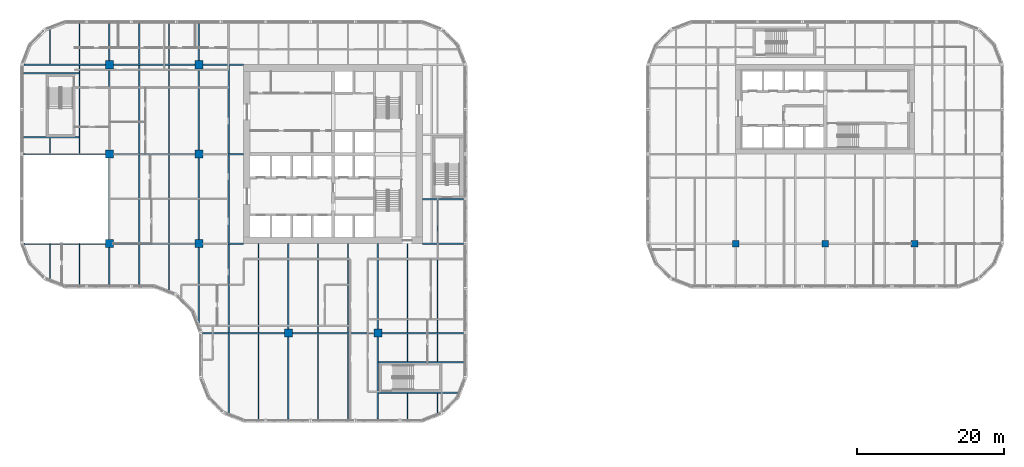
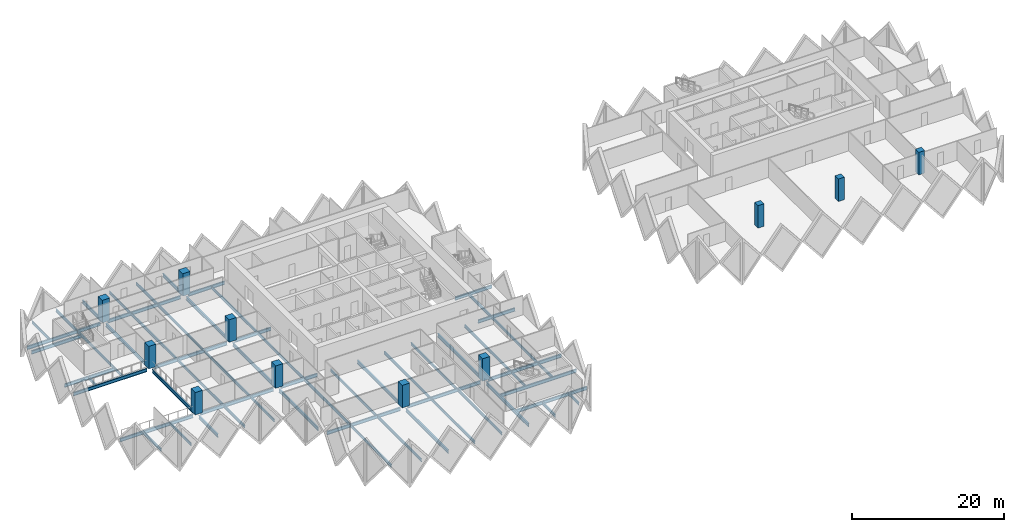
# One storey, part 1 of 18: 61 beams, 11 columns.
"""IFC4 building model written with IfcOpenShell, lengths in metres."""

import ifcopenshell
import ifcopenshell.guid

model = None  # the IFC model being written
_history = None  # IfcOwnerHistory: only IFC2X3 demands one
_inside = {}  # id of a spatial element -> (the spatial element, [elements in it])
_under = {}  # id of a project, library or spatial element -> (it, [spatial elements below it])
_declared = {}  # id of a project -> (the project, [libraries it declares])
_typed = {}  # id of a type object -> (the type object, [elements of that type])
_made_of = {}  # id of a material, layer set ... -> (it, [elements and type objects made of it])


def new_model(schema):
    """Start an empty IFC model of exactly this schema.

    Asked for "IFC4X3", IfcOpenShell would pick the latest addendum, in which some entities
    have other attributes; the version numbers below select the first issue.
    IFC2X3 requires an IfcOwnerHistory on every rooted entity: one is made here for all.
    """
    global model, _history
    if schema == "IFC4X3":
        model = ifcopenshell.file(schema_version=(4, 3, 0, 0))
    else:
        model = ifcopenshell.file(schema=schema)
    _inside.clear()
    _under.clear()
    _declared.clear()
    _typed.clear()
    _made_of.clear()
    _history = None
    if model.schema == "IFC2X3":
        org = make("IfcOrganization", Name="unknown")
        user = make(
            "IfcPersonAndOrganization",
            ThePerson=make("IfcPerson", FamilyName="unknown"),
            TheOrganization=org,
        )
        app = make(
            "IfcApplication",
            ApplicationDeveloper=org,
            Version="unknown",
            ApplicationFullName="unknown",
            ApplicationIdentifier="unknown",
        )
        _history = make(
            "IfcOwnerHistory",
            OwningUser=user,
            OwningApplication=app,
            ChangeAction="ADDED",
            CreationDate=0,
        )
    return model


def make(cls, **values):
    """One entity of the class cls with the attributes given. An attribute that is None is left unset."""
    return model.create_entity(
        cls, **{name: value for name, value in values.items() if value is not None}
    )


def rooted(cls, **values):
    """An entity with a GlobalId (a new one), such as an element, a storey or a relation."""
    return make(cls, GlobalId=ifcopenshell.guid.new(), OwnerHistory=_history, **values)


def si_unit(unit_type, name, prefix=None):
    """IfcSIUnit, for example si_unit("LENGTHUNIT", "METRE", prefix="MILLI")."""
    return make("IfcSIUnit", UnitType=unit_type, Prefix=prefix, Name=name)


def assignment(units):
    """IfcUnitAssignment: the units of a project."""
    return None if units is None else make("IfcUnitAssignment", Units=units)


def point(xyz):
    """IfcCartesianPoint."""
    return None if xyz is None else make("IfcCartesianPoint", Coordinates=xyz)


def direction(xyz):
    """IfcDirection."""
    return None if xyz is None else make("IfcDirection", DirectionRatios=xyz)


def frame(location, z_axis=None, x_axis=None):
    """IfcAxis2Placement3D, a coordinate frame: its origin and axes. An axis left out is left unset."""
    return make(
        "IfcAxis2Placement3D",
        Location=point(location),
        Axis=direction(z_axis),
        RefDirection=direction(x_axis),
    )


def frame_2d(location, x_axis=None):
    """IfcAxis2Placement2D, a coordinate frame in the plane: its origin and x axis."""
    return make(
        "IfcAxis2Placement2D", Location=point(location), RefDirection=direction(x_axis)
    )


def origin():
    """The frame at (0, 0, 0) with its axes left unset."""
    return frame((0.0, 0.0, 0.0))


def origin_2d():
    """The frame at (0, 0) in the plane with its x axis left unset."""
    return frame_2d((0.0, 0.0))


def place(relative_to, where):
    """IfcLocalPlacement: puts the frame where relative to a parent placement (None: the world)."""
    return make(
        "IfcLocalPlacement", PlacementRelTo=relative_to, RelativePlacement=where
    )


def context(
    kind, dimensions, precision=None, world=None, true_north=None, identifier=None
):
    """IfcGeometricRepresentationContext, for example the 3D "Model" context."""
    return make(
        "IfcGeometricRepresentationContext",
        ContextIdentifier=identifier,
        ContextType=kind,
        CoordinateSpaceDimension=dimensions,
        Precision=precision,
        WorldCoordinateSystem=world,
        TrueNorth=true_north,
    )


def subcontext(parent, identifier, kind, view, scale=None):
    """IfcGeometricRepresentationSubContext, for example "Body" below "Model"."""
    return make(
        "IfcGeometricRepresentationSubContext",
        ContextIdentifier=identifier,
        ContextType=kind,
        ParentContext=parent,
        TargetScale=scale,
        TargetView=view,
    )


def project(units=None, contexts=None):
    """IfcProject with its units and contexts."""
    return rooted(
        "IfcProject",
        Name="project",
        RepresentationContexts=contexts,
        UnitsInContext=assignment(units),
    )


def spatial(cls, under=None, at=None, **own):
    """A site, building, storey or space (cls), placed at a placement, below another one or the project."""
    s = rooted(cls, ObjectPlacement=at, **own)
    if under is not None:
        _under.setdefault(under.id(), (under, []))[1].append(s)
    return s


def profile(cls, at=None, kind="AREA", **sizes):
    """A parametric profile (cls). Its sizes go by their IFC names, for example OverallWidth=200.0."""
    return make(cls, ProfileType=kind, Position=at, **sizes)


def rectangle(**sizes):
    """IfcRectangleProfileDef."""
    return profile("IfcRectangleProfileDef", **sizes)


def i_section(**sizes):
    """IfcIShapeProfileDef."""
    return profile("IfcIShapeProfileDef", **sizes)


def extrude(swept, where, along, depth):
    """IfcExtrudedAreaSolid: the profile swept, set in the frame where, extruded along a direction by depth."""
    return make(
        "IfcExtrudedAreaSolid",
        SweptArea=swept,
        Position=where,
        ExtrudedDirection=direction(along),
        Depth=depth,
    )


def shape(context_of_items, identifier, shape_type, items):
    """IfcShapeRepresentation: the items that make up one representation, for example the "Body"."""
    return make(
        "IfcShapeRepresentation",
        ContextOfItems=context_of_items,
        RepresentationIdentifier=identifier,
        RepresentationType=shape_type,
        Items=items,
    )


def material(Name=None, Category=None):
    """IfcMaterial."""
    return make("IfcMaterial", Name=Name, Category=Category)


def material_profile(
    of_material, cross_section, Name=None, Category=None, Priority=None
):
    """IfcMaterialProfile: a cross section and its material."""
    return make(
        "IfcMaterialProfile",
        Name=Name,
        Material=of_material,
        Profile=cross_section,
        Priority=Priority,
        Category=Category,
    )


def profile_set(profiles, Name=None, composite=None):
    """IfcMaterialProfileSet."""
    return make(
        "IfcMaterialProfileSet",
        Name=Name,
        MaterialProfiles=profiles,
        CompositeProfile=composite,
    )


def made_of(thing, what):
    """Note that an element or type object is made of a material, layer set ...; save() writes the relation."""
    if what is not None:
        _made_of.setdefault(what.id(), (what, []))[1].append(thing)
    return thing


def type_object(cls, material=None, **own):
    """A type object (cls), such as IfcWallType, which elements share."""
    return made_of(rooted(cls, **own), material)


def element(
    cls,
    number,
    at=None,
    inside=None,
    cuts=None,
    type_object=None,
    material=None,
    context=None,
    identifier="Body",
    shape_type=None,
    held_by="IfcProductDefinitionShape",
    body=None,
    shapes=None,
    **own,
):
    """One element of the class cls, such as IfcWall. Its Tag is "e" and its number.

    at: its placement. inside: the storey or other place that contains it. cuts: it is an
    opening in that element (IfcRelVoidsElement). A single representation is given by context,
    identifier, shape_type and body (its items); several are given by shapes. held_by: the class
    of the entity that holds the representations. save() writes the other relations.
    """
    e = rooted(cls, Tag="e%d" % number, ObjectPlacement=at, **own)
    if body is not None:
        shapes = [shape(context, identifier, shape_type, body)]
    if shapes is not None:
        e.Representation = make(held_by, Representations=shapes)
    if inside is not None:
        _inside.setdefault(inside.id(), (inside, []))[1].append(e)
    if cuts is not None:
        rooted(
            "IfcRelVoidsElement", RelatingBuildingElement=cuts, RelatedOpeningElement=e
        )
    if type_object is not None:
        _typed.setdefault(type_object.id(), (type_object, []))[1].append(e)
    return made_of(e, material)


def aggregate(whole, parts):
    """IfcRelAggregates: a whole, such as a stair, and the parts it consists of."""
    return rooted("IfcRelAggregates", RelatingObject=whole, RelatedObjects=parts)


def save(model, path):
    """Write the relations noted so far, then the file.

    IfcRelAggregates (storeys below a building ...), IfcRelContainedInSpatialStructure (elements
    in a storey), IfcRelDefinesByType, IfcRelAssociatesMaterial and IfcRelDeclares: one each for
    every whole, place, type object, material and project.
    """
    for whole, parts in _under.values():
        aggregate(whole, parts)
    for where, things in _inside.values():
        rooted(
            "IfcRelContainedInSpatialStructure",
            RelatedElements=things,
            RelatingStructure=where,
        )
    for kind, things in _typed.values():
        rooted("IfcRelDefinesByType", RelatedObjects=things, RelatingType=kind)
    for what, things in _made_of.values():
        rooted("IfcRelAssociatesMaterial", RelatedObjects=things, RelatingMaterial=what)
    for by, libraries in _declared.values():
        rooted("IfcRelDeclares", RelatingContext=by, RelatedDefinitions=libraries)
    model.write(path)


model = new_model("IFC4")

# Units and contexts
model_context = context("Model", 3, precision=1e-05, world=origin(), true_north=direction((0.0, 1.0)))
body_context = subcontext(model_context, "Body", "Model", "MODEL_VIEW")
ifc_project = project(units=[si_unit("LENGTHUNIT", "METRE"), si_unit("AREAUNIT", "SQUARE_METRE"), si_unit("VOLUMEUNIT", "CUBIC_METRE"), si_unit("PLANEANGLEUNIT", "RADIAN"), si_unit("MASSUNIT", "GRAM", prefix="KILO")], contexts=[model_context])

# Site, building, storey
site_placement = place(None, origin())
site = spatial("IfcSite", under=ifc_project, at=site_placement, CompositionType="ELEMENT")
building_placement = place(site_placement, origin())
building = spatial("IfcBuilding", under=site, at=building_placement, Name="Tessera Gate Towers", CompositionType="ELEMENT")
storey_placement = place(building_placement, frame((0.0, 0.0, 41.0)))
storey = spatial("IfcBuildingStorey", under=building, at=storey_placement, Name="L09", CompositionType="ELEMENT", Elevation=41.0)

# Columns
ifc_material_1 = material(Name="Concrete C70/85", Category="concrete")
ifc_material_profile_1 = material_profile(ifc_material_1, rectangle(XDim=1.10009765625, YDim=1.10009765625, at=origin_2d()), Name="RC 1100x1100")
ifc_profile_set_1 = profile_set([ifc_material_profile_1], Name="Concrete C70/85")
column_type_1 = type_object("IfcColumnType", Name="COLUMN RC 1100x1100", PredefinedType="COLUMN", material=ifc_profile_set_1)
for number, where, z_axis, x_axis, name in (
    (1, (12.199951171875, 24.39990234375, 0.0), (0.0, 0.0, 1.0), (1.0, 0.0, 0.0), "T1-COL-2C-L09"),
    (2, (12.199951171875, 36.60009765625, 0.0), (0.0, 0.0, 1.0), (1.0, 0.0, 0.0), "T1-COL-2D-L09"),
    (3, (12.199951171875, 48.800048828125, 0.0), (0.0, 0.0, 1.0), (1.0, 0.0, 0.0), "T1-COL-2E-L09"),
    (4, (24.39990234375, 24.39990234375, 0.0), (0.0, 0.0, 1.0), (1.0, 0.0, 0.0), "T1-COL-3C-L09"),
    (5, (24.39990234375, 36.60009765625, 0.0), (0.0, 0.0, 1.0), (1.0, 0.0, 0.0), "T1-COL-3D-L09"),
    (6, (24.39990234375, 48.800048828125, 0.0), (0.0, 0.0, 1.0), (1.0, 0.0, 0.0), "T1-COL-3E-L09"),
    (7, (36.60009765625, 12.199951171875, 0.0), (0.0, 0.0, 1.0), (1.0, 0.0, 0.0), "T1-COL-4B-L09"),
    (8, (48.800048828125, 12.199951171875, 0.0), (0.0, 0.0, 1.0), (1.0, 0.0, 0.0), "T1-COL-5B-L09"),
):
    element("IfcColumn", number, at=place(storey_placement, frame(where, z_axis=z_axis, x_axis=x_axis)), inside=storey, type_object=column_type_1, Name=name, PredefinedType="COLUMN", context=body_context, shape_type="SweptSolid", body=[
        extrude(rectangle(XDim=1.10009765625, YDim=1.10009765625, at=origin_2d()), origin(), (0.0, 0.0, 1.0), 3.60009765625),
    ])
ifc_material_2 = material(Name="Concrete C70/85", Category="concrete")
ifc_material_profile_2 = material_profile(ifc_material_2, rectangle(XDim=0.89990234375, YDim=0.89990234375, at=origin_2d()), Name="RC 900x900")
ifc_profile_set_2 = profile_set([ifc_material_profile_2], Name="Concrete C70/85")
column_type_2 = type_object("IfcColumnType", Name="COLUMN RC 900x900", PredefinedType="COLUMN", material=ifc_profile_set_2)
for number, where, z_axis, x_axis, name in (
    (9, (97.60009765625, 24.39990234375, 0.0), (0.0, 0.0, 1.0), (1.0, 0.0, 0.0), "T2-COL-9C-L09"),
    (10, (109.800048828125, 24.39990234375, 0.0), (0.0, 0.0, 1.0), (1.0, 0.0, 0.0), "T2-COL-10C-L09"),
    (11, (122.0, 24.39990234375, 0.0), (0.0, 0.0, 1.0), (1.0, 0.0, 0.0), "T2-COL-11C-L09"),
):
    element("IfcColumn", number, at=place(storey_placement, frame(where, z_axis=z_axis, x_axis=x_axis)), inside=storey, type_object=column_type_2, Name=name, PredefinedType="COLUMN", context=body_context, shape_type="SweptSolid", body=[
        extrude(rectangle(XDim=0.89990234375, YDim=0.89990234375, at=origin_2d()), origin(), (0.0, 0.0, 1.0), 3.60009765625),
    ])

# Beams
ifc_material_3 = material(Name="Steel 350W", Category="steel")
ifc_material_profile_3 = material_profile(ifc_material_3, i_section(OverallWidth=0.208984375, OverallDepth=0.532958984375, WebThickness=0.01025390625, FlangeThickness=0.015625, at=origin_2d()), Name="W530x92")
ifc_profile_set_3 = profile_set([ifc_material_profile_3], Name="Steel 350W")
beam_type_1 = type_object("IfcBeamType", Name="FLOOR GIRDER W530x92", PredefinedType="BEAM", material=ifc_profile_set_3)
beam_1_placement = place(storey_placement, frame((24.89892578125, 12.199951171875, -0.466552734375), z_axis=(1.0, 0.0, 0.0), x_axis=(0.0, 1.0, 0.0)))
element("IfcBeam", 12, at=beam_1_placement, inside=storey, type_object=beam_type_1, Name="T1-GD-L09-1395", PredefinedType="BEAM", context=body_context, shape_type="SweptSolid", body=[
    extrude(i_section(OverallWidth=0.208984375, OverallDepth=0.532958984375, WebThickness=0.01025390625, FlangeThickness=0.015625, at=origin_2d()), origin(), (0.0, 0.0, 1.0), 11.151123046875),
])
beam_2_placement = place(storey_placement, frame((37.14990234375, 12.199951171875, -0.466552734375), z_axis=(1.0, 0.0, 0.0), x_axis=(0.0, 1.0, 0.0)))
element("IfcBeam", 13, at=beam_2_placement, inside=storey, type_object=beam_type_1, Name="T1-GD-L09-1396", PredefinedType="BEAM", context=body_context, shape_type="SweptSolid", body=[
    extrude(i_section(OverallWidth=0.208984375, OverallDepth=0.532958984375, WebThickness=0.01025390625, FlangeThickness=0.015625, at=origin_2d()), origin(), (0.0, 0.0, 1.0), 11.10009765625),
])
beam_3_placement = place(storey_placement, frame((49.35009765625, 12.199951171875, -0.466552734375), z_axis=(1.0, 0.0, 0.0), x_axis=(0.0, 1.0, 0.0)))
element("IfcBeam", 14, at=beam_3_placement, inside=storey, type_object=beam_type_1, Name="T1-GD-L09-1397", PredefinedType="BEAM", context=body_context, shape_type="SweptSolid", body=[
    extrude(i_section(OverallWidth=0.208984375, OverallDepth=0.532958984375, WebThickness=0.01025390625, FlangeThickness=0.015625, at=origin_2d()), origin(), (0.0, 0.0, 1.0), 11.15087890625),
])
beam_4_placement = place(storey_placement, frame((0.534912109375, 24.39990234375, -0.466552734375), z_axis=(1.0, 0.0, 0.0), x_axis=(0.0, 1.0, 0.0)))
element("IfcBeam", 15, at=beam_4_placement, inside=storey, type_object=beam_type_1, Name="T1-GD-L09-1398", PredefinedType="BEAM", context=body_context, shape_type="SweptSolid", body=[
    extrude(i_section(OverallWidth=0.208984375, OverallDepth=0.532958984375, WebThickness=0.01025390625, FlangeThickness=0.015625, at=origin_2d()), origin(), (0.0, 0.0, 1.0), 11.114990234375),
])
beam_5_placement = place(storey_placement, frame((12.75, 24.39990234375, -0.466552734375), z_axis=(1.0, 0.0, 0.0), x_axis=(0.0, 1.0, 0.0)))
element("IfcBeam", 16, at=beam_5_placement, inside=storey, type_object=beam_type_1, Name="T1-GD-L09-1399", PredefinedType="BEAM", context=body_context, shape_type="SweptSolid", body=[
    extrude(i_section(OverallWidth=0.208984375, OverallDepth=0.532958984375, WebThickness=0.01025390625, FlangeThickness=0.015625, at=origin_2d()), origin(), (0.0, 0.0, 1.0), 11.10009765625),
])
beam_6_placement = place(storey_placement, frame((24.949951171875, 24.39990234375, -0.466552734375), z_axis=(1.0, 0.0, 0.0), x_axis=(0.0, 1.0, 0.0)))
element("IfcBeam", 17, at=beam_6_placement, inside=storey, type_object=beam_type_1, Name="T1-GD-L09-1400", PredefinedType="BEAM", context=body_context, shape_type="SweptSolid", body=[
    extrude(i_section(OverallWidth=0.208984375, OverallDepth=0.532958984375, WebThickness=0.01025390625, FlangeThickness=0.015625, at=origin_2d()), origin(), (0.0, 0.0, 1.0), 5.549072265625),
])
beam_7_placement = place(storey_placement, frame((54.90087890625, 24.39990234375, -0.466552734375), z_axis=(1.0, 0.0, 0.0), x_axis=(0.0, 1.0, 0.0)))
element("IfcBeam", 18, at=beam_7_placement, inside=storey, type_object=beam_type_1, Name="T1-GD-L09-1401", PredefinedType="BEAM", context=body_context, shape_type="SweptSolid", body=[
    extrude(i_section(OverallWidth=0.208984375, OverallDepth=0.532958984375, WebThickness=0.01025390625, FlangeThickness=0.015625, at=origin_2d()), origin(), (0.0, 0.0, 1.0), 5.60009765625),
])
beam_8_placement = place(storey_placement, frame((0.4990234375, 36.60009765625, -0.466552734375), z_axis=(1.0, 0.0, 0.0), x_axis=(0.0, 1.0, 0.0)))
element("IfcBeam", 19, at=beam_8_placement, inside=storey, type_object=beam_type_1, Name="T1-GD-L09-1402", PredefinedType="BEAM", context=body_context, shape_type="SweptSolid", body=[
    extrude(i_section(OverallWidth=0.208984375, OverallDepth=0.532958984375, WebThickness=0.01025390625, FlangeThickness=0.015625, at=origin_2d()), origin(), (0.0, 0.0, 1.0), 11.15087890625),
])
beam_9_placement = place(storey_placement, frame((12.75, 36.60009765625, -0.466552734375), z_axis=(1.0, 0.0, 0.0), x_axis=(0.0, 1.0, 0.0)))
element("IfcBeam", 20, at=beam_9_placement, inside=storey, type_object=beam_type_1, Name="T1-GD-L09-1403", PredefinedType="BEAM", context=body_context, shape_type="SweptSolid", body=[
    extrude(i_section(OverallWidth=0.208984375, OverallDepth=0.532958984375, WebThickness=0.01025390625, FlangeThickness=0.015625, at=origin_2d()), origin(), (0.0, 0.0, 1.0), 11.10009765625),
])
beam_10_placement = place(storey_placement, frame((24.949951171875, 36.60009765625, -0.466552734375), z_axis=(1.0, 0.0, 0.0), x_axis=(0.0, 1.0, 0.0)))
element("IfcBeam", 21, at=beam_10_placement, inside=storey, type_object=beam_type_1, Name="T1-GD-L09-1404", PredefinedType="BEAM", context=body_context, shape_type="SweptSolid", body=[
    extrude(i_section(OverallWidth=0.208984375, OverallDepth=0.532958984375, WebThickness=0.01025390625, FlangeThickness=0.015625, at=origin_2d()), origin(), (0.0, 0.0, 1.0), 5.551025390625),
])
beam_11_placement = place(storey_placement, frame((0.534912109375, 48.800048828125, -0.466552734375), z_axis=(1.0, 0.0, 0.0), x_axis=(0.0, 1.0, 0.0)))
element("IfcBeam", 22, at=beam_11_placement, inside=storey, type_object=beam_type_1, Name="T1-GD-L09-1406", PredefinedType="BEAM", context=body_context, shape_type="SweptSolid", body=[
    extrude(i_section(OverallWidth=0.208984375, OverallDepth=0.532958984375, WebThickness=0.01025390625, FlangeThickness=0.015625, at=origin_2d()), origin(), (0.0, 0.0, 1.0), 11.114990234375),
])
beam_12_placement = place(storey_placement, frame((12.75, 48.800048828125, -0.466552734375), z_axis=(1.0, 0.0, 0.0), x_axis=(0.0, 1.0, 0.0)))
element("IfcBeam", 23, at=beam_12_placement, inside=storey, type_object=beam_type_1, Name="T1-GD-L09-1407", PredefinedType="BEAM", context=body_context, shape_type="SweptSolid", body=[
    extrude(i_section(OverallWidth=0.208984375, OverallDepth=0.532958984375, WebThickness=0.01025390625, FlangeThickness=0.015625, at=origin_2d()), origin(), (0.0, 0.0, 1.0), 11.10009765625),
])
beam_13_placement = place(storey_placement, frame((24.949951171875, 48.800048828125, -0.466552734375), z_axis=(1.0, 0.0, 0.0), x_axis=(0.0, 1.0, 0.0)))
element("IfcBeam", 24, at=beam_13_placement, inside=storey, type_object=beam_type_1, Name="T1-GD-L09-1408", PredefinedType="BEAM", context=body_context, shape_type="SweptSolid", body=[
    extrude(i_section(OverallWidth=0.208984375, OverallDepth=0.532958984375, WebThickness=0.01025390625, FlangeThickness=0.015625, at=origin_2d()), origin(), (0.0, 0.0, 1.0), 5.549072265625),
])
beam_14_placement = place(storey_placement, frame((12.199951171875, 18.799072265625, -0.466552734375), z_axis=(0.0, 1.0, 0.0), x_axis=(-1.0, 0.0, 0.0)))
element("IfcBeam", 25, at=beam_14_placement, inside=storey, type_object=beam_type_1, Name="T1-GD-L09-1410", PredefinedType="BEAM", context=body_context, shape_type="SweptSolid", body=[
    extrude(i_section(OverallWidth=0.208984375, OverallDepth=0.532958984375, WebThickness=0.01025390625, FlangeThickness=0.015625, at=origin_2d()), origin(), (0.0, 0.0, 1.0), 5.051025390625),
])
for number, where, z_axis, x_axis, name in (
    (26, (12.199951171875, 24.949951171875, -0.466552734375), (0.0, 1.0, 0.0), (-1.0, 0.0, 0.0), "T1-GD-L09-1411"),
    (27, (12.199951171875, 37.14990234375, -0.466552734375), (0.0, 1.0, 0.0), (-1.0, 0.0, 0.0), "T1-GD-L09-1412"),
):
    element("IfcBeam", number, at=place(storey_placement, frame(where, z_axis=z_axis, x_axis=x_axis)), inside=storey, type_object=beam_type_1, Name=name, PredefinedType="BEAM", context=body_context, shape_type="SweptSolid", body=[
        extrude(i_section(OverallWidth=0.208984375, OverallDepth=0.532958984375, WebThickness=0.01025390625, FlangeThickness=0.015625, at=origin_2d()), origin(), (0.0, 0.0, 1.0), 11.10009765625),
    ])
beam_15_placement = place(storey_placement, frame((12.199951171875, 49.35009765625, -0.466552734375), z_axis=(0.0, 1.0, 0.0), x_axis=(-1.0, 0.0, 0.0)))
element("IfcBeam", 28, at=beam_15_placement, inside=storey, type_object=beam_type_1, Name="T1-GD-L09-1413", PredefinedType="BEAM", context=body_context, shape_type="SweptSolid", body=[
    extrude(i_section(OverallWidth=0.208984375, OverallDepth=0.532958984375, WebThickness=0.01025390625, FlangeThickness=0.015625, at=origin_2d()), origin(), (0.0, 0.0, 1.0), 5.05078125),
])
beam_16_placement = place(storey_placement, frame((24.39990234375, 13.58642578125, -0.466552734375), z_axis=(0.0, 1.0, 0.0), x_axis=(-1.0, 0.0, 0.0)))
element("IfcBeam", 29, at=beam_16_placement, inside=storey, type_object=beam_type_1, Name="T1-GD-L09-1414", PredefinedType="BEAM", context=body_context, shape_type="SweptSolid", body=[
    extrude(i_section(OverallWidth=0.208984375, OverallDepth=0.532958984375, WebThickness=0.01025390625, FlangeThickness=0.015625, at=origin_2d()), origin(), (0.0, 0.0, 1.0), 10.263671875),
])
for number, where, z_axis, x_axis, name in (
    (30, (24.39990234375, 24.949951171875, -0.466552734375), (0.0, 1.0, 0.0), (-1.0, 0.0, 0.0), "T1-GD-L09-1415"),
    (31, (24.39990234375, 37.14990234375, -0.466552734375), (0.0, 1.0, 0.0), (-1.0, 0.0, 0.0), "T1-GD-L09-1416"),
):
    element("IfcBeam", number, at=place(storey_placement, frame(where, z_axis=z_axis, x_axis=x_axis)), inside=storey, type_object=beam_type_1, Name=name, PredefinedType="BEAM", context=body_context, shape_type="SweptSolid", body=[
        extrude(i_section(OverallWidth=0.208984375, OverallDepth=0.532958984375, WebThickness=0.01025390625, FlangeThickness=0.015625, at=origin_2d()), origin(), (0.0, 0.0, 1.0), 11.10009765625),
    ])
beam_17_placement = place(storey_placement, frame((24.39990234375, 49.35009765625, -0.466552734375), z_axis=(0.0, 1.0, 0.0), x_axis=(-1.0, 0.0, 0.0)))
element("IfcBeam", 32, at=beam_17_placement, inside=storey, type_object=beam_type_1, Name="T1-GD-L09-1417", PredefinedType="BEAM", context=body_context, shape_type="SweptSolid", body=[
    extrude(i_section(OverallWidth=0.208984375, OverallDepth=0.532958984375, WebThickness=0.01025390625, FlangeThickness=0.015625, at=origin_2d()), origin(), (0.0, 0.0, 1.0), 5.05078125),
])
beam_18_placement = place(storey_placement, frame((36.60009765625, 0.4990234375, -0.466552734375), z_axis=(0.0, 1.0, 0.0), x_axis=(-1.0, 0.0, 0.0)))
element("IfcBeam", 33, at=beam_18_placement, inside=storey, type_object=beam_type_1, Name="T1-GD-L09-1418", PredefinedType="BEAM", context=body_context, shape_type="SweptSolid", body=[
    extrude(i_section(OverallWidth=0.208984375, OverallDepth=0.532958984375, WebThickness=0.01025390625, FlangeThickness=0.015625, at=origin_2d()), origin(), (0.0, 0.0, 1.0), 11.15087890625),
])
beam_19_placement = place(storey_placement, frame((36.60009765625, 12.75, -0.466552734375), z_axis=(0.0, 1.0, 0.0), x_axis=(-1.0, 0.0, 0.0)))
element("IfcBeam", 34, at=beam_19_placement, inside=storey, type_object=beam_type_1, Name="T1-GD-L09-1419", PredefinedType="BEAM", context=body_context, shape_type="SweptSolid", body=[
    extrude(i_section(OverallWidth=0.208984375, OverallDepth=0.532958984375, WebThickness=0.01025390625, FlangeThickness=0.015625, at=origin_2d()), origin(), (0.0, 0.0, 1.0), 11.64990234375),
])
beam_20_placement = place(storey_placement, frame((48.800048828125, 0.4990234375, -0.466552734375), z_axis=(0.0, 1.0, 0.0), x_axis=(-1.0, 0.0, 0.0)))
element("IfcBeam", 35, at=beam_20_placement, inside=storey, type_object=beam_type_1, Name="T1-GD-L09-1420", PredefinedType="BEAM", context=body_context, shape_type="SweptSolid", body=[
    extrude(i_section(OverallWidth=0.208984375, OverallDepth=0.532958984375, WebThickness=0.01025390625, FlangeThickness=0.015625, at=origin_2d()), origin(), (0.0, 0.0, 1.0), 11.15087890625),
])
beam_21_placement = place(storey_placement, frame((48.800048828125, 12.75, -0.466552734375), z_axis=(0.0, 1.0, 0.0), x_axis=(-1.0, 0.0, 0.0)))
element("IfcBeam", 36, at=beam_21_placement, inside=storey, type_object=beam_type_1, Name="T1-GD-L09-1421", PredefinedType="BEAM", context=body_context, shape_type="SweptSolid", body=[
    extrude(i_section(OverallWidth=0.208984375, OverallDepth=0.532958984375, WebThickness=0.01025390625, FlangeThickness=0.015625, at=origin_2d()), origin(), (0.0, 0.0, 1.0), 11.64990234375),
])
for number, where, z_axis, x_axis, name in (
    (37, (0.4990234375, 38.8798828125, -0.466552734375), (1.0, 0.0, 0.0), (0.0, 1.0, 0.0), "T1-GD-L09-1422"),
    (38, (0.4990234375, 47.6201171875, -0.466552734375), (1.0, 0.0, 0.0), (0.0, 1.0, 0.0), "T1-GD-L09-1423"),
):
    element("IfcBeam", number, at=place(storey_placement, frame(where, z_axis=z_axis, x_axis=x_axis)), inside=storey, type_object=beam_type_1, Name=name, PredefinedType="BEAM", context=body_context, shape_type="SweptSolid", body=[
        extrude(i_section(OverallWidth=0.208984375, OverallDepth=0.532958984375, WebThickness=0.01025390625, FlangeThickness=0.015625, at=origin_2d()), origin(), (0.0, 0.0, 1.0), 7.557861328125),
    ])
beam_22_placement = place(storey_placement, frame((48.87646484375, 4.080078125, -0.466552734375), z_axis=(1.0, 0.0, 0.0), x_axis=(0.0, 1.0, 0.0)))
element("IfcBeam", 39, at=beam_22_placement, inside=storey, type_object=beam_type_1, Name="T1-GD-L09-1424", PredefinedType="BEAM", context=body_context, shape_type="SweptSolid", body=[
    extrude(i_section(OverallWidth=0.208984375, OverallDepth=0.532958984375, WebThickness=0.01025390625, FlangeThickness=0.015625, at=origin_2d()), origin(), (0.0, 0.0, 1.0), 10.809326171875),
])
beam_23_placement = place(storey_placement, frame((48.87646484375, 8.219970703125, -0.466552734375), z_axis=(1.0, 0.0, 0.0), x_axis=(0.0, 1.0, 0.0)))
element("IfcBeam", 40, at=beam_23_placement, inside=storey, type_object=beam_type_1, Name="T1-GD-L09-1425", PredefinedType="BEAM", context=body_context, shape_type="SweptSolid", body=[
    extrude(i_section(OverallWidth=0.208984375, OverallDepth=0.532958984375, WebThickness=0.01025390625, FlangeThickness=0.015625, at=origin_2d()), origin(), (0.0, 0.0, 1.0), 11.62451171875),
])
beam_24_placement = place(storey_placement, frame((54.89892578125, 30.47998046875, -0.466552734375), z_axis=(1.0, 0.0, 0.0), x_axis=(0.0, 1.0, 0.0)))
element("IfcBeam", 41, at=beam_24_placement, inside=storey, type_object=beam_type_1, Name="T1-GD-L09-1426", PredefinedType="BEAM", context=body_context, shape_type="SweptSolid", body=[
    extrude(i_section(OverallWidth=0.208984375, OverallDepth=0.532958984375, WebThickness=0.01025390625, FlangeThickness=0.015625, at=origin_2d()), origin(), (0.0, 0.0, 1.0), 5.60205078125),
])
ifc_material_4 = material(Name="Steel 350W", Category="steel")
ifc_material_profile_4 = material_profile(ifc_material_4, i_section(OverallWidth=0.153076171875, OverallDepth=0.455078125, WebThickness=0.008056640625, FlangeThickness=0.01318359375, at=origin_2d()), Name="W460x60")
ifc_profile_set_4 = profile_set([ifc_material_profile_4], Name="Steel 350W")
beam_type_2 = type_object("IfcBeamType", Name="FLOOR SECONDARY W460x60", PredefinedType="BEAM", material=ifc_profile_set_4)
beam_25_placement = place(storey_placement, frame((4.066650390625, 19.620361328125, -0.427490234375), z_axis=(0.0, 1.0, 0.0), x_axis=(-1.0, 0.0, 0.0)))
element("IfcBeam", 42, at=beam_25_placement, inside=storey, type_object=beam_type_2, Name="T1-BM-L09-1429", PredefinedType="BEAM", context=body_context, shape_type="SweptSolid", body=[
    extrude(i_section(OverallWidth=0.153076171875, OverallDepth=0.455078125, WebThickness=0.008056640625, FlangeThickness=0.01318359375, at=origin_2d()), origin(), (0.0, 0.0, 1.0), 4.779541015625),
])
beam_26_placement = place(storey_placement, frame((4.066650390625, 36.70458984375, -0.427490234375), z_axis=(0.0, 1.0, 0.0), x_axis=(-1.0, 0.0, 0.0)))
element("IfcBeam", 43, at=beam_26_placement, inside=storey, type_object=beam_type_2, Name="T1-BM-L09-1430", PredefinedType="BEAM", context=body_context, shape_type="SweptSolid", body=[
    extrude(i_section(OverallWidth=0.153076171875, OverallDepth=0.455078125, WebThickness=0.008056640625, FlangeThickness=0.01318359375, at=origin_2d()), origin(), (0.0, 0.0, 1.0), 2.07080078125),
])
beam_27_placement = place(storey_placement, frame((4.066650390625, 48.904541015625, -0.427490234375), z_axis=(0.0, 1.0, 0.0), x_axis=(-1.0, 0.0, 0.0)))
element("IfcBeam", 44, at=beam_27_placement, inside=storey, type_object=beam_type_2, Name="T1-BM-L09-1431", PredefinedType="BEAM", context=body_context, shape_type="SweptSolid", body=[
    extrude(i_section(OverallWidth=0.153076171875, OverallDepth=0.455078125, WebThickness=0.008056640625, FlangeThickness=0.01318359375, at=origin_2d()), origin(), (0.0, 0.0, 1.0), 4.675048828125),
])
beam_28_placement = place(storey_placement, frame((8.13330078125, 18.800048828125, -0.427490234375), z_axis=(0.0, 1.0, 0.0), x_axis=(-1.0, 0.0, 0.0)))
element("IfcBeam", 45, at=beam_28_placement, inside=storey, type_object=beam_type_2, Name="T1-BM-L09-1432", PredefinedType="BEAM", context=body_context, shape_type="SweptSolid", body=[
    extrude(i_section(OverallWidth=0.153076171875, OverallDepth=0.455078125, WebThickness=0.008056640625, FlangeThickness=0.01318359375, at=origin_2d()), origin(), (0.0, 0.0, 1.0), 5.599853515625),
])
beam_29_placement = place(storey_placement, frame((8.13330078125, 36.70458984375, -0.427490234375), z_axis=(0.0, 1.0, 0.0), x_axis=(-1.0, 0.0, 0.0)))
element("IfcBeam", 46, at=beam_29_placement, inside=storey, type_object=beam_type_2, Name="T1-BM-L09-1433", PredefinedType="BEAM", context=body_context, shape_type="SweptSolid", body=[
    extrude(i_section(OverallWidth=0.153076171875, OverallDepth=0.455078125, WebThickness=0.008056640625, FlangeThickness=0.01318359375, at=origin_2d()), origin(), (0.0, 0.0, 1.0), 11.990966796875),
])
for number, where, z_axis, x_axis, name in (
    (47, (8.13330078125, 48.904541015625, -0.427490234375), (0.0, 1.0, 0.0), (-1.0, 0.0, 0.0), "T1-BM-L09-1434"),
    (48, (16.2666015625, 18.800048828125, -0.427490234375), (0.0, 1.0, 0.0), (-1.0, 0.0, 0.0), "T1-BM-L09-1435"),
):
    element("IfcBeam", number, at=place(storey_placement, frame(where, z_axis=z_axis, x_axis=x_axis)), inside=storey, type_object=beam_type_2, Name=name, PredefinedType="BEAM", context=body_context, shape_type="SweptSolid", body=[
        extrude(i_section(OverallWidth=0.153076171875, OverallDepth=0.455078125, WebThickness=0.008056640625, FlangeThickness=0.01318359375, at=origin_2d()), origin(), (0.0, 0.0, 1.0), 5.495361328125),
    ])
beam_30_placement = place(storey_placement, frame((16.2666015625, 24.50439453125, -0.427490234375), z_axis=(0.0, 1.0, 0.0), x_axis=(-1.0, 0.0, 0.0)))
element("IfcBeam", 49, at=beam_30_placement, inside=storey, type_object=beam_type_2, Name="T1-BM-L09-1436", PredefinedType="BEAM", context=body_context, shape_type="SweptSolid", body=[
    extrude(i_section(OverallWidth=0.153076171875, OverallDepth=0.455078125, WebThickness=0.008056640625, FlangeThickness=0.01318359375, at=origin_2d()), origin(), (0.0, 0.0, 1.0), 11.9912109375),
])
beam_31_placement = place(storey_placement, frame((16.2666015625, 36.70458984375, -0.427490234375), z_axis=(0.0, 1.0, 0.0), x_axis=(-1.0, 0.0, 0.0)))
element("IfcBeam", 50, at=beam_31_placement, inside=storey, type_object=beam_type_2, Name="T1-BM-L09-1437", PredefinedType="BEAM", context=body_context, shape_type="SweptSolid", body=[
    extrude(i_section(OverallWidth=0.153076171875, OverallDepth=0.455078125, WebThickness=0.008056640625, FlangeThickness=0.01318359375, at=origin_2d()), origin(), (0.0, 0.0, 1.0), 11.990966796875),
])
beam_32_placement = place(storey_placement, frame((16.2666015625, 48.904541015625, -0.427490234375), z_axis=(0.0, 1.0, 0.0), x_axis=(-1.0, 0.0, 0.0)))
element("IfcBeam", 51, at=beam_32_placement, inside=storey, type_object=beam_type_2, Name="T1-BM-L09-1438", PredefinedType="BEAM", context=body_context, shape_type="SweptSolid", body=[
    extrude(i_section(OverallWidth=0.153076171875, OverallDepth=0.455078125, WebThickness=0.008056640625, FlangeThickness=0.01318359375, at=origin_2d()), origin(), (0.0, 0.0, 1.0), 5.495361328125),
])
beam_33_placement = place(storey_placement, frame((20.333251953125, 18.051513671875, -0.427490234375), z_axis=(0.0, 1.0, 0.0), x_axis=(-1.0, 0.0, 0.0)))
element("IfcBeam", 52, at=beam_33_placement, inside=storey, type_object=beam_type_2, Name="T1-BM-L09-1439", PredefinedType="BEAM", context=body_context, shape_type="SweptSolid", body=[
    extrude(i_section(OverallWidth=0.153076171875, OverallDepth=0.455078125, WebThickness=0.008056640625, FlangeThickness=0.01318359375, at=origin_2d()), origin(), (0.0, 0.0, 1.0), 6.243896484375),
])
beam_34_placement = place(storey_placement, frame((20.333251953125, 24.50439453125, -0.427490234375), z_axis=(0.0, 1.0, 0.0), x_axis=(-1.0, 0.0, 0.0)))
element("IfcBeam", 53, at=beam_34_placement, inside=storey, type_object=beam_type_2, Name="T1-BM-L09-1440", PredefinedType="BEAM", context=body_context, shape_type="SweptSolid", body=[
    extrude(i_section(OverallWidth=0.153076171875, OverallDepth=0.455078125, WebThickness=0.008056640625, FlangeThickness=0.01318359375, at=origin_2d()), origin(), (0.0, 0.0, 1.0), 11.9912109375),
])
beam_35_placement = place(storey_placement, frame((20.333251953125, 36.70458984375, -0.427490234375), z_axis=(0.0, 1.0, 0.0), x_axis=(-1.0, 0.0, 0.0)))
element("IfcBeam", 54, at=beam_35_placement, inside=storey, type_object=beam_type_2, Name="T1-BM-L09-1441", PredefinedType="BEAM", context=body_context, shape_type="SweptSolid", body=[
    extrude(i_section(OverallWidth=0.153076171875, OverallDepth=0.455078125, WebThickness=0.008056640625, FlangeThickness=0.01318359375, at=origin_2d()), origin(), (0.0, 0.0, 1.0), 11.990966796875),
])
beam_36_placement = place(storey_placement, frame((20.333251953125, 48.904541015625, -0.427490234375), z_axis=(0.0, 1.0, 0.0), x_axis=(-1.0, 0.0, 0.0)))
element("IfcBeam", 55, at=beam_36_placement, inside=storey, type_object=beam_type_2, Name="T1-BM-L09-1442", PredefinedType="BEAM", context=body_context, shape_type="SweptSolid", body=[
    extrude(i_section(OverallWidth=0.153076171875, OverallDepth=0.455078125, WebThickness=0.008056640625, FlangeThickness=0.01318359375, at=origin_2d()), origin(), (0.0, 0.0, 1.0), 5.495361328125),
])
beam_37_placement = place(storey_placement, frame((28.466796875, 1.3203125, -0.427490234375), z_axis=(0.0, 1.0, 0.0), x_axis=(-1.0, 0.0, 0.0)))
element("IfcBeam", 56, at=beam_37_placement, inside=storey, type_object=beam_type_2, Name="T1-BM-L09-1443", PredefinedType="BEAM", context=body_context, shape_type="SweptSolid", body=[
    extrude(i_section(OverallWidth=0.153076171875, OverallDepth=0.455078125, WebThickness=0.008056640625, FlangeThickness=0.01318359375, at=origin_2d()), origin(), (0.0, 0.0, 1.0), 10.775146484375),
])
beam_38_placement = place(storey_placement, frame((28.466796875, 12.304443359375, -0.427490234375), z_axis=(0.0, 1.0, 0.0), x_axis=(-1.0, 0.0, 0.0)))
element("IfcBeam", 57, at=beam_38_placement, inside=storey, type_object=beam_type_2, Name="T1-BM-L09-1444", PredefinedType="BEAM", context=body_context, shape_type="SweptSolid", body=[
    extrude(i_section(OverallWidth=0.153076171875, OverallDepth=0.455078125, WebThickness=0.008056640625, FlangeThickness=0.01318359375, at=origin_2d()), origin(), (0.0, 0.0, 1.0), 11.990966796875),
])
beam_39_placement = place(storey_placement, frame((28.466796875, 24.50439453125, -0.427490234375), z_axis=(0.0, 1.0, 0.0), x_axis=(-1.0, 0.0, 0.0)))
element("IfcBeam", 58, at=beam_39_placement, inside=storey, type_object=beam_type_2, Name="T1-BM-L09-1445", PredefinedType="BEAM", context=body_context, shape_type="SweptSolid", body=[
    extrude(i_section(OverallWidth=0.153076171875, OverallDepth=0.455078125, WebThickness=0.008056640625, FlangeThickness=0.01318359375, at=origin_2d()), origin(), (0.0, 0.0, 1.0), 11.9912109375),
])
beam_40_placement = place(storey_placement, frame((28.466796875, 36.70458984375, -0.427490234375), z_axis=(0.0, 1.0, 0.0), x_axis=(-1.0, 0.0, 0.0)))
element("IfcBeam", 59, at=beam_40_placement, inside=storey, type_object=beam_type_2, Name="T1-BM-L09-1446", PredefinedType="BEAM", context=body_context, shape_type="SweptSolid", body=[
    extrude(i_section(OverallWidth=0.153076171875, OverallDepth=0.455078125, WebThickness=0.008056640625, FlangeThickness=0.01318359375, at=origin_2d()), origin(), (0.0, 0.0, 1.0), 11.990966796875),
])
beam_41_placement = place(storey_placement, frame((32.533203125, 0.5, -0.427490234375), z_axis=(0.0, 1.0, 0.0), x_axis=(-1.0, 0.0, 0.0)))
element("IfcBeam", 60, at=beam_41_placement, inside=storey, type_object=beam_type_2, Name="T1-BM-L09-1448", PredefinedType="BEAM", context=body_context, shape_type="SweptSolid", body=[
    extrude(i_section(OverallWidth=0.153076171875, OverallDepth=0.455078125, WebThickness=0.008056640625, FlangeThickness=0.01318359375, at=origin_2d()), origin(), (0.0, 0.0, 1.0), 11.595458984375),
])
beam_42_placement = place(storey_placement, frame((32.533203125, 12.304443359375, -0.427490234375), z_axis=(0.0, 1.0, 0.0), x_axis=(-1.0, 0.0, 0.0)))
element("IfcBeam", 61, at=beam_42_placement, inside=storey, type_object=beam_type_2, Name="T1-BM-L09-1449", PredefinedType="BEAM", context=body_context, shape_type="SweptSolid", body=[
    extrude(i_section(OverallWidth=0.153076171875, OverallDepth=0.455078125, WebThickness=0.008056640625, FlangeThickness=0.01318359375, at=origin_2d()), origin(), (0.0, 0.0, 1.0), 12.095458984375),
])
beam_43_placement = place(storey_placement, frame((40.666748046875, 0.5, -0.427490234375), z_axis=(0.0, 1.0, 0.0), x_axis=(-1.0, 0.0, 0.0)))
element("IfcBeam", 62, at=beam_43_placement, inside=storey, type_object=beam_type_2, Name="T1-BM-L09-1452", PredefinedType="BEAM", context=body_context, shape_type="SweptSolid", body=[
    extrude(i_section(OverallWidth=0.153076171875, OverallDepth=0.455078125, WebThickness=0.008056640625, FlangeThickness=0.01318359375, at=origin_2d()), origin(), (0.0, 0.0, 1.0), 11.595458984375),
])
beam_44_placement = place(storey_placement, frame((40.666748046875, 12.304443359375, -0.427490234375), z_axis=(0.0, 1.0, 0.0), x_axis=(-1.0, 0.0, 0.0)))
element("IfcBeam", 63, at=beam_44_placement, inside=storey, type_object=beam_type_2, Name="T1-BM-L09-1453", PredefinedType="BEAM", context=body_context, shape_type="SweptSolid", body=[
    extrude(i_section(OverallWidth=0.153076171875, OverallDepth=0.455078125, WebThickness=0.008056640625, FlangeThickness=0.01318359375, at=origin_2d()), origin(), (0.0, 0.0, 1.0), 12.095458984375),
])
beam_45_placement = place(storey_placement, frame((44.7333984375, 0.5, -0.427490234375), z_axis=(0.0, 1.0, 0.0), x_axis=(-1.0, 0.0, 0.0)))
element("IfcBeam", 64, at=beam_45_placement, inside=storey, type_object=beam_type_2, Name="T1-BM-L09-1455", PredefinedType="BEAM", context=body_context, shape_type="SweptSolid", body=[
    extrude(i_section(OverallWidth=0.153076171875, OverallDepth=0.455078125, WebThickness=0.008056640625, FlangeThickness=0.01318359375, at=origin_2d()), origin(), (0.0, 0.0, 1.0), 11.595458984375),
])
beam_46_placement = place(storey_placement, frame((44.7333984375, 12.304443359375, -0.427490234375), z_axis=(0.0, 1.0, 0.0), x_axis=(-1.0, 0.0, 0.0)))
element("IfcBeam", 65, at=beam_46_placement, inside=storey, type_object=beam_type_2, Name="T1-BM-L09-1456", PredefinedType="BEAM", context=body_context, shape_type="SweptSolid", body=[
    extrude(i_section(OverallWidth=0.153076171875, OverallDepth=0.455078125, WebThickness=0.008056640625, FlangeThickness=0.01318359375, at=origin_2d()), origin(), (0.0, 0.0, 1.0), 12.095458984375),
])
beam_47_placement = place(storey_placement, frame((52.86669921875, 0.5, -0.427490234375), z_axis=(0.0, 1.0, 0.0), x_axis=(-1.0, 0.0, 0.0)))
element("IfcBeam", 66, at=beam_47_placement, inside=storey, type_object=beam_type_2, Name="T1-BM-L09-1459", PredefinedType="BEAM", context=body_context, shape_type="SweptSolid", body=[
    extrude(i_section(OverallWidth=0.153076171875, OverallDepth=0.455078125, WebThickness=0.008056640625, FlangeThickness=0.01318359375, at=origin_2d()), origin(), (0.0, 0.0, 1.0), 3.4755859375),
])
beam_48_placement = place(storey_placement, frame((52.86669921875, 8.324462890625, -0.427490234375), z_axis=(0.0, 1.0, 0.0), x_axis=(-1.0, 0.0, 0.0)))
element("IfcBeam", 67, at=beam_48_placement, inside=storey, type_object=beam_type_2, Name="T1-BM-L09-1460", PredefinedType="BEAM", context=body_context, shape_type="SweptSolid", body=[
    extrude(i_section(OverallWidth=0.153076171875, OverallDepth=0.455078125, WebThickness=0.008056640625, FlangeThickness=0.01318359375, at=origin_2d()), origin(), (0.0, 0.0, 1.0), 3.77099609375),
])
beam_49_placement = place(storey_placement, frame((52.86669921875, 12.304443359375, -0.427490234375), z_axis=(0.0, 1.0, 0.0), x_axis=(-1.0, 0.0, 0.0)))
element("IfcBeam", 68, at=beam_49_placement, inside=storey, type_object=beam_type_2, Name="T1-BM-L09-1461", PredefinedType="BEAM", context=body_context, shape_type="SweptSolid", body=[
    extrude(i_section(OverallWidth=0.153076171875, OverallDepth=0.455078125, WebThickness=0.008056640625, FlangeThickness=0.01318359375, at=origin_2d()), origin(), (0.0, 0.0, 1.0), 12.095458984375),
])
beam_50_placement = place(storey_placement, frame((56.933349609375, 1.3203125, -0.427490234375), z_axis=(0.0, 1.0, 0.0), x_axis=(-1.0, 0.0, 0.0)))
element("IfcBeam", 69, at=beam_50_placement, inside=storey, type_object=beam_type_2, Name="T1-BM-L09-1463", PredefinedType="BEAM", context=body_context, shape_type="SweptSolid", body=[
    extrude(i_section(OverallWidth=0.153076171875, OverallDepth=0.455078125, WebThickness=0.008056640625, FlangeThickness=0.01318359375, at=origin_2d()), origin(), (0.0, 0.0, 1.0), 2.6552734375),
])
beam_51_placement = place(storey_placement, frame((56.933349609375, 8.324462890625, -0.427490234375), z_axis=(0.0, 1.0, 0.0), x_axis=(-1.0, 0.0, 0.0)))
element("IfcBeam", 70, at=beam_51_placement, inside=storey, type_object=beam_type_2, Name="T1-BM-L09-1464", PredefinedType="BEAM", context=body_context, shape_type="SweptSolid", body=[
    extrude(i_section(OverallWidth=0.153076171875, OverallDepth=0.455078125, WebThickness=0.008056640625, FlangeThickness=0.01318359375, at=origin_2d()), origin(), (0.0, 0.0, 1.0), 3.77099609375),
])
beam_52_placement = place(storey_placement, frame((56.933349609375, 12.304443359375, -0.427490234375), z_axis=(0.0, 1.0, 0.0), x_axis=(-1.0, 0.0, 0.0)))
element("IfcBeam", 71, at=beam_52_placement, inside=storey, type_object=beam_type_2, Name="T1-BM-L09-1465", PredefinedType="BEAM", context=body_context, shape_type="SweptSolid", body=[
    extrude(i_section(OverallWidth=0.153076171875, OverallDepth=0.455078125, WebThickness=0.008056640625, FlangeThickness=0.01318359375, at=origin_2d()), origin(), (0.0, 0.0, 1.0), 11.990966796875),
])
beam_53_placement = place(storey_placement, frame((56.933349609375, 24.50439453125, -0.427490234375), z_axis=(0.0, 1.0, 0.0), x_axis=(-1.0, 0.0, 0.0)))
element("IfcBeam", 72, at=beam_53_placement, inside=storey, type_object=beam_type_2, Name="T1-BM-L09-1466", PredefinedType="BEAM", context=body_context, shape_type="SweptSolid", body=[
    extrude(i_section(OverallWidth=0.153076171875, OverallDepth=0.455078125, WebThickness=0.008056640625, FlangeThickness=0.01318359375, at=origin_2d()), origin(), (0.0, 0.0, 1.0), 5.87109375),
])

save(model, "model.ifc")
